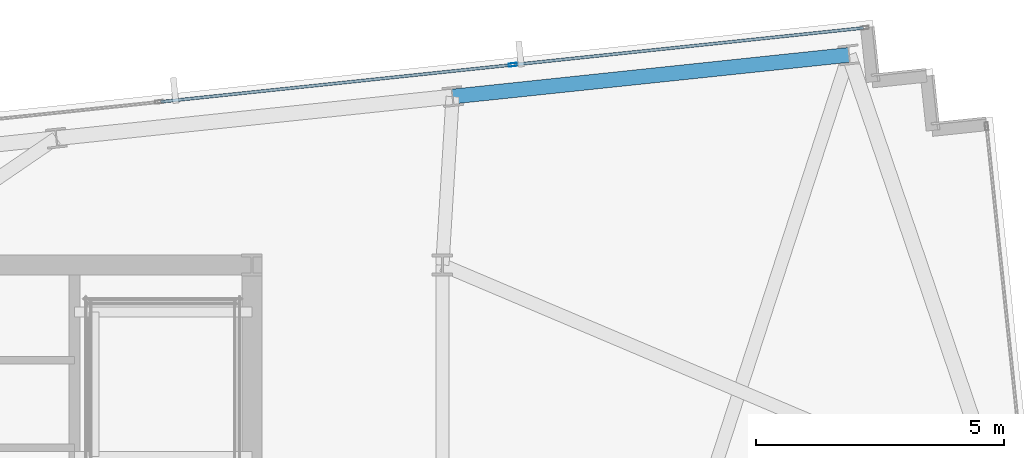
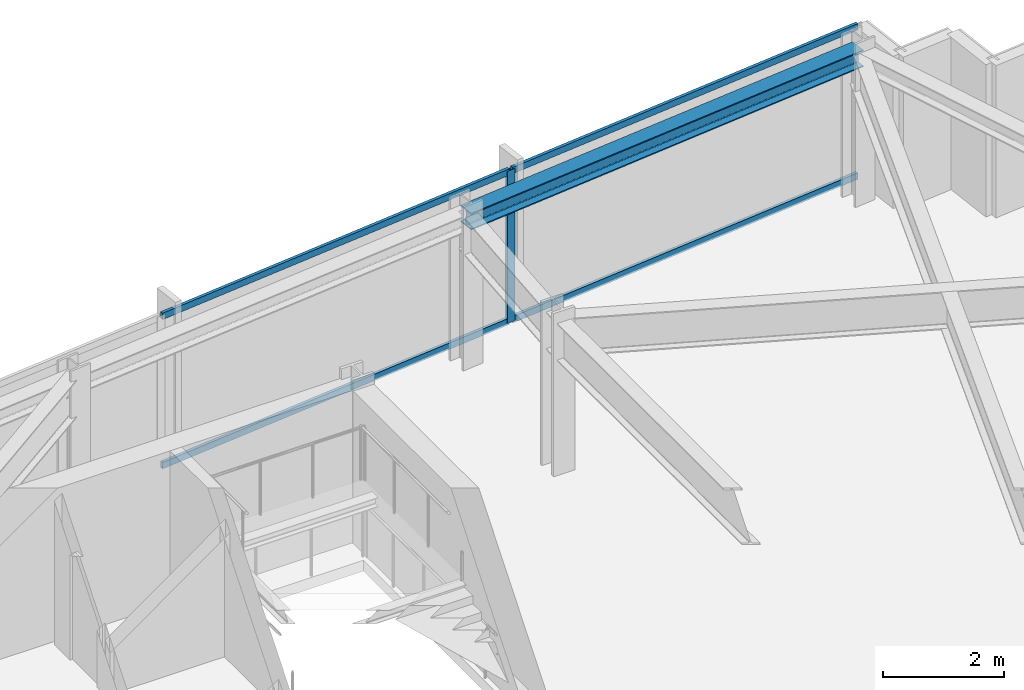
# One storey, part 24 of 32: 5 members, 1 beam, 1 element without a shape of its own.
"""IFC4 building model written with IfcOpenShell, lengths in metres."""

from ifc_helpers import new_model, si_unit, direction, frame, origin, origin_2d, place, context, subcontext, project, spatial, hollow_rectangle, i_section, extrude, material, material_profile, profile_set, type_object, element, aggregate, save


model = new_model("IFC4")

# Units and contexts
model_context = context("Model", 3, precision=1e-05, world=origin(), true_north=direction((0.0, 1.0)))
body_context = subcontext(model_context, "Body", "Model", "MODEL_VIEW")
ifc_project = project(units=[si_unit("LENGTHUNIT", "METRE"), si_unit("AREAUNIT", "SQUARE_METRE"), si_unit("VOLUMEUNIT", "CUBIC_METRE"), si_unit("PLANEANGLEUNIT", "RADIAN"), si_unit("MASSUNIT", "GRAM", prefix="KILO")], contexts=[model_context])

# Site, building, storey
site_placement = place(None, origin())
site = spatial("IfcSite", under=ifc_project, at=site_placement, CompositionType="ELEMENT")
building_placement = place(site_placement, origin())
building = spatial("IfcBuilding", under=site, at=building_placement, Name="Yelkora Congress Tower", CompositionType="ELEMENT")
storey_placement = place(building_placement, frame((0.0, 0.0, 207.800048828125)))
storey = spatial("IfcBuildingStorey", under=building, at=storey_placement, Name="L57", CompositionType="ELEMENT", Elevation=207.800048828125)

# Beam
ifc_material_1 = material(Name="Steel S355J2", Category="steel")
ifc_material_profile_1 = material_profile(ifc_material_1, i_section(OverallWidth=0.300048828125, OverallDepth=0.340087890625, WebThickness=0.011962890625, FlangeThickness=0.021484375, FilletRadius=0.027099609375, at=origin_2d()), Name="HEB 340")
ifc_profile_set_1 = profile_set([ifc_material_profile_1], Name="Steel S355J2")
beam_type = type_object("IfcBeamType", Name="BM-SPAN-HEB340", PredefinedType="SPANDREL", material=ifc_profile_set_1)
beam_placement = place(storey_placement, frame((65.7958984375, 50.4365234375, 2.909912109375), z_axis=(-0.994520097542, -0.104545567032, 0.0), x_axis=(0.104545567032, -0.994520097542, 0.0)))
element("IfcBeam", 1, at=beam_placement, inside=storey, type_object=beam_type, Name="L57 Perimeter Beam 13", PredefinedType="SPANDREL", context=body_context, shape_type="SweptSolid", body=[
    extrude(i_section(OverallWidth=0.300048828125, OverallDepth=0.340087890625, WebThickness=0.011962890625, FlangeThickness=0.021484375, FilletRadius=0.027099609375, at=origin_2d()), origin(), (0.0, 0.0, 1.0), 8.033203125),
])

# Curtain wall, members
ifc_material_2 = material(Name="Anodised aluminium and insulated glass", Category="aluminium")
curtain_wall_type = type_object("IfcCurtainWallType", Name="CW-SYS-B4", PredefinedType="NOTDEFINED", material=ifc_material_2)
curtain_wall_placement = place(storey_placement, origin())
curtain_wall = element("IfcCurtainWall", 2, at=curtain_wall_placement, inside=storey, type_object=curtain_wall_type, Name="L57 Unitised Curtain Wall 10 (3)", PredefinedType="NOTDEFINED")
ifc_material_3 = material(Name="Anodised aluminium 6063-T6", Category="aluminium")
ifc_material_profile_2 = material_profile(ifc_material_3, hollow_rectangle(XDim=0.06494140625, YDim=0.159912109375, WallThickness=0.00390625, at=origin_2d()), Name="ALU 65x160x4")
ifc_profile_set_2 = profile_set([ifc_material_profile_2], Name="Anodised aluminium 6063-T6")
member_type_1 = type_object("IfcMemberType", Name="MEM-ML-B4", PredefinedType="MULLION", material=ifc_profile_set_2)
member_1_placement = place(storey_placement, frame((59.019775390625, 50.237060546875, 0.0), z_axis=(0.0, 0.0, 1.0), x_axis=(-0.104527724021, 0.994521973066, 0.0)))
member_1 = element("IfcMember", 3, at=member_1_placement, type_object=member_type_1, Name="CW-B4 mullion 6", PredefinedType="MULLION", context=body_context, shape_type="SweptSolid", body=[
    extrude(hollow_rectangle(XDim=0.06494140625, YDim=0.159912109375, WallThickness=0.00390625, at=origin_2d()), origin(), (0.0, 0.0, 1.0), 3.079833984375),
])
ifc_material_profile_3 = material_profile(ifc_material_3, hollow_rectangle(XDim=0.06005859375, YDim=0.1298828125, WallThickness=0.00390625, at=origin_2d()), Name="ALU 60x130x4")
ifc_profile_set_3 = profile_set([ifc_material_profile_3], Name="Anodised aluminium 6063-T6")
member_type_2 = type_object("IfcMemberType", Name="MEM-TR-B4", PredefinedType="USERDEFINED", material=ifc_profile_set_3)
member_2_placement = place(storey_placement, frame((51.92138671875, 49.490966796875, 0.030029296875), z_axis=(0.99452200925, 0.104527379751, 0.0), x_axis=(-0.104527379751, 0.99452200925, 0.0)))
member_2 = element("IfcMember", 4, at=member_2_placement, type_object=member_type_2, Name="CW-B4 transom 5.1", ObjectType="TRANSOM", PredefinedType="USERDEFINED", context=body_context, shape_type="SweptSolid", body=[
    extrude(hollow_rectangle(XDim=0.06005859375, YDim=0.1298828125, WallThickness=0.00390625, at=origin_2d()), origin(), (0.0, 0.0, 1.0), 7.10498046875),
])
member_3_placement = place(storey_placement, frame((51.92138671875, 49.490966796875, 3.050048828125), z_axis=(0.99452200925, 0.104527379751, 0.0), x_axis=(-0.104527379751, 0.99452200925, 0.0)))
member_3 = element("IfcMember", 5, at=member_3_placement, type_object=member_type_2, Name="CW-B4 transom 5.2", ObjectType="TRANSOM", PredefinedType="USERDEFINED", context=body_context, shape_type="SweptSolid", body=[
    extrude(hollow_rectangle(XDim=0.06005859375, YDim=0.1298828125, WallThickness=0.00390625, at=origin_2d()), origin(), (0.0, 0.0, 1.0), 7.10498046875),
])
member_4_placement = place(storey_placement, frame((59.052001953125, 50.240478515625, 0.030029296875), z_axis=(0.994522462765, 0.104523064706, 0.0), x_axis=(-0.104523064706, 0.994522462765, 0.0)))
member_4 = element("IfcMember", 6, at=member_4_placement, type_object=member_type_2, Name="CW-B4 transom 6.1", ObjectType="TRANSOM", PredefinedType="USERDEFINED", context=body_context, shape_type="SweptSolid", body=[
    extrude(hollow_rectangle(XDim=0.06005859375, YDim=0.1298828125, WallThickness=0.00390625, at=origin_2d()), origin(), (0.0, 0.0, 1.0), 7.07275390625),
])
member_5_placement = place(storey_placement, frame((59.052001953125, 50.240478515625, 3.050048828125), z_axis=(0.994522462765, 0.104523064706, 0.0), x_axis=(-0.104523064706, 0.994522462765, 0.0)))
member_5 = element("IfcMember", 7, at=member_5_placement, type_object=member_type_2, Name="CW-B4 transom 6.2", ObjectType="TRANSOM", PredefinedType="USERDEFINED", context=body_context, shape_type="SweptSolid", body=[
    extrude(hollow_rectangle(XDim=0.06005859375, YDim=0.1298828125, WallThickness=0.00390625, at=origin_2d()), origin(), (0.0, 0.0, 1.0), 7.07275390625),
])
aggregate(curtain_wall, [member_1, member_2, member_3, member_4, member_5])

save(model, "model.ifc")
